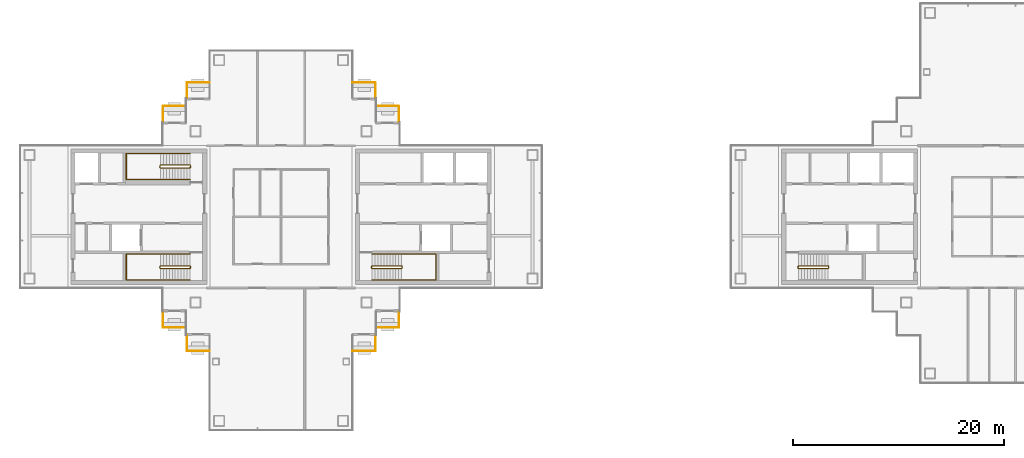
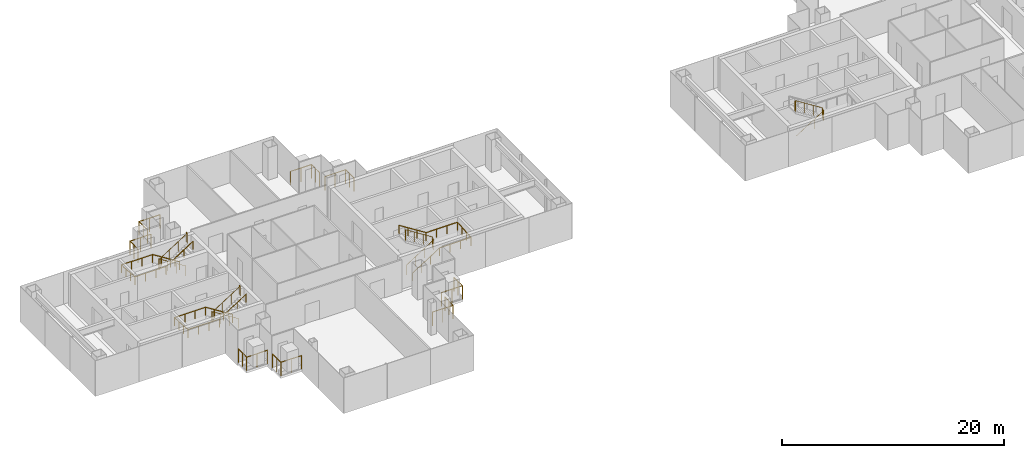
# One storey, part 13 of 15: 15 railings.
"""IFC4 building model written with IfcOpenShell, lengths in metres."""

from ifc_helpers import new_model, si_unit, direction, frame, origin, origin_2d, place, context, subcontext, project, spatial, circle, extrude, material, type_object, element, save


model = new_model("IFC4")

# Units and contexts
model_context = context("Model", 3, precision=1e-05, world=origin(), true_north=direction((0.0, 1.0)))
body_context = subcontext(model_context, "Body", "Model", "MODEL_VIEW")
ifc_project = project(units=[si_unit("LENGTHUNIT", "METRE"), si_unit("AREAUNIT", "SQUARE_METRE"), si_unit("VOLUMEUNIT", "CUBIC_METRE"), si_unit("PLANEANGLEUNIT", "RADIAN"), si_unit("MASSUNIT", "GRAM", prefix="KILO")], contexts=[model_context])

# Site, building, storey
site_placement = place(None, origin())
site = spatial("IfcSite", under=ifc_project, at=site_placement, CompositionType="ELEMENT")
building_placement = place(site_placement, origin())
building = spatial("IfcBuilding", under=site, at=building_placement, Name="Shamsa Quay Exchange Towers", CompositionType="ELEMENT")
storey_placement = place(building_placement, frame((0.0, 0.0, 206.10009765625)))
storey = spatial("IfcBuildingStorey", under=building, at=storey_placement, Name="L49", CompositionType="ELEMENT", Elevation=206.10009765625)

# Railings
ifc_material_1 = material(Name="Steel S355, black powder-coated", Category="steel")
railing_type_1 = type_object("IfcRailingType", Name="BALCONY GUARD 1500", PredefinedType="GUARDRAIL", material=ifc_material_1)
for number, where, name in (
    (1, (-22.550048828125, 9.02099609375, 0.0), "Balcony guard T1-PKEN L49"),
    (2, (-24.800048828125, 11.27099609375, 0.0), "Balcony guard T1-PKEN L49"),
):
    element("IfcRailing", number, at=place(storey_placement, frame(where)), inside=storey, type_object=railing_type_1, Name=name, PredefinedType="GUARDRAIL", context=body_context, shape_type="SweptSolid", body=[
        extrude(circle(Radius=0.02392578125, at=origin_2d()), frame((0.0, 0.0, 1.47607421875), z_axis=(0.0, 1.0, 0.0), x_axis=(-1.0, 0.0, 0.0)), (0.0, 0.0, 1.0), 1.47900390625),
        extrude(circle(Radius=0.02392578125, at=origin_2d()), frame((0.0, 1.47900390625, 1.47607421875), z_axis=(-1.0, 0.0, 0.0), x_axis=(0.0, -1.0, 0.0)), (0.0, 0.0, 1.0), 2.161865234375),
        extrude(circle(Radius=0.02099609375, at=origin_2d()), origin(), (0.0, 0.0, 1.0), 1.451904296875),
        extrude(circle(Radius=0.02099609375, at=origin_2d()), frame((0.0, 0.739501953125, 0.0)), (0.0, 0.0, 1.0), 1.451904296875),
        extrude(circle(Radius=0.02099609375, at=origin_2d()), frame((0.0, 1.47900390625, 0.0)), (0.0, 0.0, 1.0), 1.451904296875),
        extrude(circle(Radius=0.02099609375, at=origin_2d()), frame((-1.0810546875, 1.47900390625, 0.0)), (0.0, 0.0, 1.0), 1.451904296875),
        extrude(circle(Radius=0.02099609375, at=origin_2d()), frame((-2.161865234375, 1.47900390625, 0.0)), (0.0, 0.0, 1.0), 1.451904296875),
    ])
for number, where, name in (
    (3, (-24.7119140625, -10.5, 0.0), "Balcony guard T1-PKES L49"),
    (4, (-26.9619140625, -12.75, 0.0), "Balcony guard T1-PKES L49"),
):
    element("IfcRailing", number, at=place(storey_placement, frame(where)), inside=storey, type_object=railing_type_1, Name=name, PredefinedType="GUARDRAIL", context=body_context, shape_type="SweptSolid", body=[
        extrude(circle(Radius=0.02392578125, at=origin_2d()), frame((0.0, 0.0, 1.47607421875), z_axis=(1.0, 0.0, 0.0), x_axis=(0.0, 1.0, 0.0)), (0.0, 0.0, 1.0), 2.161865234375),
        extrude(circle(Radius=0.02392578125, at=origin_2d()), frame((2.161865234375, 0.0, 1.47607421875), z_axis=(0.0, 1.0, 0.0), x_axis=(-1.0, 0.0, 0.0)), (0.0, 0.0, 1.0), 1.47900390625),
        extrude(circle(Radius=0.02099609375, at=origin_2d()), origin(), (0.0, 0.0, 1.0), 1.451904296875),
        extrude(circle(Radius=0.02099609375, at=origin_2d()), frame((1.0810546875, 0.0, 0.0)), (0.0, 0.0, 1.0), 1.451904296875),
        extrude(circle(Radius=0.02099609375, at=origin_2d()), frame((2.161865234375, 0.0, 0.0)), (0.0, 0.0, 1.0), 1.451904296875),
        extrude(circle(Radius=0.02099609375, at=origin_2d()), frame((2.161865234375, 0.739501953125, 0.0)), (0.0, 0.0, 1.0), 1.451904296875),
        extrude(circle(Radius=0.02099609375, at=origin_2d()), frame((2.161865234375, 1.47900390625, 0.0)), (0.0, 0.0, 1.0), 1.451904296875),
    ])
for number, where, name in (
    (5, (-40.5380859375, 12.75, 0.0), "Balcony guard T1-PKWN L49"),
    (6, (-42.7880859375, 10.5, 0.0), "Balcony guard T1-PKWN L49"),
):
    element("IfcRailing", number, at=place(storey_placement, frame(where)), inside=storey, type_object=railing_type_1, Name=name, PredefinedType="GUARDRAIL", context=body_context, shape_type="SweptSolid", body=[
        extrude(circle(Radius=0.02392578125, at=origin_2d()), frame((0.0, 0.0, 1.47607421875), z_axis=(-1.0, 0.0, 0.0), x_axis=(0.0, -1.0, 0.0)), (0.0, 0.0, 1.0), 2.161865234375),
        extrude(circle(Radius=0.02392578125, at=origin_2d()), frame((-2.161865234375, 0.0, 1.47607421875), z_axis=(0.0, -1.0, 0.0), x_axis=(1.0, 0.0, 0.0)), (0.0, 0.0, 1.0), 1.47900390625),
        extrude(circle(Radius=0.02099609375, at=origin_2d()), origin(), (0.0, 0.0, 1.0), 1.451904296875),
        extrude(circle(Radius=0.02099609375, at=origin_2d()), frame((-1.0810546875, 0.0, 0.0)), (0.0, 0.0, 1.0), 1.451904296875),
        extrude(circle(Radius=0.02099609375, at=origin_2d()), frame((-2.161865234375, 0.0, 0.0)), (0.0, 0.0, 1.0), 1.451904296875),
        extrude(circle(Radius=0.02099609375, at=origin_2d()), frame((-2.161865234375, -0.739501953125, 0.0)), (0.0, 0.0, 1.0), 1.451904296875),
        extrude(circle(Radius=0.02099609375, at=origin_2d()), frame((-2.161865234375, -1.47900390625, 0.0)), (0.0, 0.0, 1.0), 1.451904296875),
    ])
for number, where, name in (
    (7, (-44.949951171875, -9.02099609375, 0.0), "Balcony guard T1-PKWS L49"),
    (8, (-42.699951171875, -11.27099609375, 0.0), "Balcony guard T1-PKWS L49"),
):
    element("IfcRailing", number, at=place(storey_placement, frame(where)), inside=storey, type_object=railing_type_1, Name=name, PredefinedType="GUARDRAIL", context=body_context, shape_type="SweptSolid", body=[
        extrude(circle(Radius=0.02392578125, at=origin_2d()), frame((0.0, 0.0, 1.47607421875), z_axis=(0.0, -1.0, 0.0), x_axis=(1.0, 0.0, 0.0)), (0.0, 0.0, 1.0), 1.47900390625),
        extrude(circle(Radius=0.02392578125, at=origin_2d()), frame((0.0, -1.47900390625, 1.47607421875), z_axis=(1.0, 0.0, 0.0), x_axis=(0.0, 1.0, 0.0)), (0.0, 0.0, 1.0), 2.161865234375),
        extrude(circle(Radius=0.02099609375, at=origin_2d()), origin(), (0.0, 0.0, 1.0), 1.451904296875),
        extrude(circle(Radius=0.02099609375, at=origin_2d()), frame((0.0, -0.739501953125, 0.0)), (0.0, 0.0, 1.0), 1.451904296875),
        extrude(circle(Radius=0.02099609375, at=origin_2d()), frame((0.0, -1.47900390625, 0.0)), (0.0, 0.0, 1.0), 1.451904296875),
        extrude(circle(Radius=0.02099609375, at=origin_2d()), frame((1.0810546875, -1.47900390625, 0.0)), (0.0, 0.0, 1.0), 1.451904296875),
        extrude(circle(Radius=0.02099609375, at=origin_2d()), frame((2.161865234375, -1.47900390625, 0.0)), (0.0, 0.0, 1.0), 1.451904296875),
    ])
ifc_material_2 = material(Name="Stainless steel", Category="steel")
railing_type_2 = type_object("IfcRailingType", Name="STAIR GUARD 1100", PredefinedType="GUARDRAIL", material=ifc_material_2)
railing_1_placement = place(storey_placement, frame((-25.10009765625, -4.89990234375, 0.17724609375)))
element("IfcRailing", 9, at=railing_1_placement, inside=storey, type_object=railing_type_2, Name="L49 ST1 stair guard 1", PredefinedType="GUARDRAIL", context=body_context, shape_type="SweptSolid", body=[
    extrude(circle(Radius=0.02392578125, at=origin_2d()), frame((0.0, 0.0, 1.076171875), z_axis=(0.844908973607, 0.0, 0.534910110503), x_axis=(0.0, 1.0, 0.0)), (0.0, 0.0, 1.0), 3.31396484375),
    extrude(circle(Radius=0.02392578125, at=origin_2d()), frame((2.800048828125, 0.0, 2.8486328125), z_axis=(0.708833529934, 0.705375805398, 0.0), x_axis=(-0.705375805398, 0.708833529934, 0.0)), (0.0, 0.0, 1.0), 0.070556640625),
    extrude(circle(Radius=0.02392578125, at=origin_2d()), frame((2.85009765625, 0.0498046875, 2.8486328125), z_axis=(0.0, 1.0, 0.0), x_axis=(-1.0, 0.0, 0.0)), (0.0, 0.0, 1.0), 0.150146484375),
    extrude(circle(Radius=0.02392578125, at=origin_2d()), frame((2.85009765625, 0.199951171875, 2.8486328125), z_axis=(-0.262233686654, 0.262233686654, 0.928691007369), x_axis=(-0.707106781187, -0.707106781187, 0.0)), (0.0, 0.0, 1.0), 0.19091796875),
    extrude(circle(Radius=0.02392578125, at=origin_2d()), frame((2.800048828125, 0.25, 3.02587890625), z_axis=(-0.844908973607, 0.0, 0.534910110503), x_axis=(0.0, -1.0, 0.0)), (0.0, 0.0, 1.0), 3.31396484375),
    extrude(circle(Radius=0.02392578125, at=origin_2d()), frame((0.0, 0.25, 4.798828125), z_axis=(-0.24142163986, -0.970420317083, 0.0), x_axis=(0.970420317083, -0.24142163986, 0.0)), (0.0, 0.0, 1.0), 0.206298828125),
    extrude(circle(Radius=0.02392578125, at=origin_2d()), frame((-0.0498046875, 0.0498046875, 4.798828125), z_axis=(0.0, 1.0, 0.0), x_axis=(-1.0, 0.0, 0.0)), (0.0, 0.0, 1.0), 0.150146484375),
    extrude(circle(Radius=0.02099609375, at=origin_2d()), origin(), (0.0, 0.0, 1.0), 1.052001953125),
    extrude(circle(Radius=0.02099609375, at=origin_2d()), frame((0.933349609375, 0.0, 0.5908203125)), (0.0, 0.0, 1.0), 1.052001953125),
    extrude(circle(Radius=0.02099609375, at=origin_2d()), frame((1.86669921875, 0.0, 1.181884765625)), (0.0, 0.0, 1.0), 1.052001953125),
    extrude(circle(Radius=0.02099609375, at=origin_2d()), frame((2.800048828125, 0.0, 1.772705078125)), (0.0, 0.0, 1.0), 1.052001953125),
    extrude(circle(Radius=0.02099609375, at=origin_2d()), frame((2.85009765625, 0.0498046875, 1.772705078125)), (0.0, 0.0, 1.0), 1.052001953125),
    extrude(circle(Radius=0.02099609375, at=origin_2d()), frame((2.85009765625, 0.199951171875, 1.772705078125)), (0.0, 0.0, 1.0), 1.052001953125),
    extrude(circle(Radius=0.02099609375, at=origin_2d()), frame((2.800048828125, 0.25, 1.949951171875)), (0.0, 0.0, 1.0), 1.052001953125),
    extrude(circle(Radius=0.02099609375, at=origin_2d()), frame((1.86669921875, 0.25, 2.540771484375)), (0.0, 0.0, 1.0), 1.052001953125),
    extrude(circle(Radius=0.02099609375, at=origin_2d()), frame((0.933349609375, 0.25, 3.1318359375)), (0.0, 0.0, 1.0), 1.052001953125),
    extrude(circle(Radius=0.02099609375, at=origin_2d()), frame((0.0, 0.25, 3.72265625)), (0.0, 0.0, 1.0), 1.052001953125),
    extrude(circle(Radius=0.02099609375, at=origin_2d()), frame((-0.0498046875, 0.0498046875, 3.72265625)), (0.0, 0.0, 1.0), 1.052001953125),
    extrude(circle(Radius=0.02099609375, at=origin_2d()), frame((-0.0498046875, 0.199951171875, 3.72265625)), (0.0, 0.0, 1.0), 1.052001953125),
])
railing_2_placement = place(storey_placement, frame((-42.39990234375, -4.64990234375, 0.17724609375)))
element("IfcRailing", 10, at=railing_2_placement, inside=storey, type_object=railing_type_2, Name="L49 ST2 stair guard 1", PredefinedType="GUARDRAIL", context=body_context, shape_type="SweptSolid", body=[
    extrude(circle(Radius=0.02392578125, at=origin_2d()), frame((0.0, 0.0, 1.076171875), z_axis=(-0.844908973607, 0.0, 0.534910110503), x_axis=(0.0, -1.0, 0.0)), (0.0, 0.0, 1.0), 3.31396484375),
    extrude(circle(Radius=0.02392578125, at=origin_2d()), frame((-2.800048828125, 0.0, 2.8486328125), z_axis=(-0.707106781187, -0.707106781187, 0.0), x_axis=(0.707106781187, -0.707106781187, 0.0)), (0.0, 0.0, 1.0), 0.07080078125),
    extrude(circle(Radius=0.02392578125, at=origin_2d()), frame((-2.85009765625, -0.050048828125, 2.8486328125), z_axis=(0.0, -1.0, 0.0), x_axis=(1.0, 0.0, 0.0)), (0.0, 0.0, 1.0), 0.150146484375),
    extrude(circle(Radius=0.02392578125, at=origin_2d()), frame((-2.85009765625, -0.2001953125, 2.8486328125), z_axis=(0.262321481514, -0.261041864531, 0.929001929653), x_axis=(0.705375805398, 0.708833529934, 0.0)), (0.0, 0.0, 1.0), 0.190673828125),
    extrude(circle(Radius=0.02392578125, at=origin_2d()), frame((-2.800048828125, -0.25, 3.02587890625), z_axis=(0.844908973607, 0.0, 0.534910110503), x_axis=(0.0, 1.0, 0.0)), (0.0, 0.0, 1.0), 3.31396484375),
    extrude(circle(Radius=0.02392578125, at=origin_2d()), frame((0.0, -0.25, 4.798828125), z_axis=(0.241699205484, 0.970351222016, 0.0), x_axis=(-0.970351222016, 0.241699205484, 0.0)), (0.0, 0.0, 1.0), 0.2060546875),
    extrude(circle(Radius=0.02392578125, at=origin_2d()), frame((0.0498046875, -0.050048828125, 4.798828125), z_axis=(0.0, -1.0, 0.0), x_axis=(1.0, 0.0, 0.0)), (0.0, 0.0, 1.0), 0.150146484375),
    extrude(circle(Radius=0.02099609375, at=origin_2d()), origin(), (0.0, 0.0, 1.0), 1.052001953125),
    extrude(circle(Radius=0.02099609375, at=origin_2d()), frame((-0.933349609375, 0.0, 0.5908203125)), (0.0, 0.0, 1.0), 1.052001953125),
    extrude(circle(Radius=0.02099609375, at=origin_2d()), frame((-1.86669921875, 0.0, 1.181884765625)), (0.0, 0.0, 1.0), 1.052001953125),
    extrude(circle(Radius=0.02099609375, at=origin_2d()), frame((-2.800048828125, 0.0, 1.772705078125)), (0.0, 0.0, 1.0), 1.052001953125),
    extrude(circle(Radius=0.02099609375, at=origin_2d()), frame((-2.85009765625, -0.050048828125, 1.772705078125)), (0.0, 0.0, 1.0), 1.052001953125),
    extrude(circle(Radius=0.02099609375, at=origin_2d()), frame((-2.85009765625, -0.2001953125, 1.772705078125)), (0.0, 0.0, 1.0), 1.052001953125),
    extrude(circle(Radius=0.02099609375, at=origin_2d()), frame((-2.800048828125, -0.25, 1.949951171875)), (0.0, 0.0, 1.0), 1.052001953125),
    extrude(circle(Radius=0.02099609375, at=origin_2d()), frame((-1.86669921875, -0.25, 2.540771484375)), (0.0, 0.0, 1.0), 1.052001953125),
    extrude(circle(Radius=0.02099609375, at=origin_2d()), frame((-0.933349609375, -0.25, 3.1318359375)), (0.0, 0.0, 1.0), 1.052001953125),
    extrude(circle(Radius=0.02099609375, at=origin_2d()), frame((0.0, -0.25, 3.72265625)), (0.0, 0.0, 1.0), 1.052001953125),
    extrude(circle(Radius=0.02099609375, at=origin_2d()), frame((0.0498046875, -0.050048828125, 3.72265625)), (0.0, 0.0, 1.0), 1.052001953125),
    extrude(circle(Radius=0.02099609375, at=origin_2d()), frame((0.0498046875, -0.2001953125, 3.72265625)), (0.0, 0.0, 1.0), 1.052001953125),
])
railing_3_placement = place(storey_placement, frame((-42.39990234375, 4.89990234375, 0.17724609375)))
element("IfcRailing", 11, at=railing_3_placement, inside=storey, type_object=railing_type_2, Name="L49 ST3 stair guard 1", PredefinedType="GUARDRAIL", context=body_context, shape_type="SweptSolid", body=[
    extrude(circle(Radius=0.02392578125, at=origin_2d()), frame((0.0, 0.0, 1.076171875), z_axis=(-0.844908973607, 0.0, 0.534910110503), x_axis=(0.0, -1.0, 0.0)), (0.0, 0.0, 1.0), 3.31396484375),
    extrude(circle(Radius=0.02392578125, at=origin_2d()), frame((-2.800048828125, 0.0, 2.8486328125), z_axis=(-0.708833529934, -0.705375805398, 0.0), x_axis=(0.705375805398, -0.708833529934, 0.0)), (0.0, 0.0, 1.0), 0.070556640625),
    extrude(circle(Radius=0.02392578125, at=origin_2d()), frame((-2.85009765625, -0.0498046875, 2.8486328125), z_axis=(0.0, -1.0, 0.0), x_axis=(1.0, 0.0, 0.0)), (0.0, 0.0, 1.0), 0.150146484375),
    extrude(circle(Radius=0.02392578125, at=origin_2d()), frame((-2.85009765625, -0.199951171875, 2.8486328125), z_axis=(0.262233686654, -0.262233686654, 0.928691007369), x_axis=(0.707106781187, 0.707106781187, 0.0)), (0.0, 0.0, 1.0), 0.19091796875),
    extrude(circle(Radius=0.02392578125, at=origin_2d()), frame((-2.800048828125, -0.25, 3.02587890625), z_axis=(0.844908973607, 0.0, 0.534910110503), x_axis=(0.0, 1.0, 0.0)), (0.0, 0.0, 1.0), 3.31396484375),
    extrude(circle(Radius=0.02392578125, at=origin_2d()), frame((0.0, -0.25, 4.798828125), z_axis=(0.24142163986, 0.970420317083, 0.0), x_axis=(-0.970420317083, 0.24142163986, 0.0)), (0.0, 0.0, 1.0), 0.206298828125),
    extrude(circle(Radius=0.02392578125, at=origin_2d()), frame((0.0498046875, -0.0498046875, 4.798828125), z_axis=(0.0, -1.0, 0.0), x_axis=(1.0, 0.0, 0.0)), (0.0, 0.0, 1.0), 0.150146484375),
    extrude(circle(Radius=0.02099609375, at=origin_2d()), origin(), (0.0, 0.0, 1.0), 1.052001953125),
    extrude(circle(Radius=0.02099609375, at=origin_2d()), frame((-0.933349609375, 0.0, 0.5908203125)), (0.0, 0.0, 1.0), 1.052001953125),
    extrude(circle(Radius=0.02099609375, at=origin_2d()), frame((-1.86669921875, 0.0, 1.181884765625)), (0.0, 0.0, 1.0), 1.052001953125),
    extrude(circle(Radius=0.02099609375, at=origin_2d()), frame((-2.800048828125, 0.0, 1.772705078125)), (0.0, 0.0, 1.0), 1.052001953125),
    extrude(circle(Radius=0.02099609375, at=origin_2d()), frame((-2.85009765625, -0.0498046875, 1.772705078125)), (0.0, 0.0, 1.0), 1.052001953125),
    extrude(circle(Radius=0.02099609375, at=origin_2d()), frame((-2.85009765625, -0.199951171875, 1.772705078125)), (0.0, 0.0, 1.0), 1.052001953125),
    extrude(circle(Radius=0.02099609375, at=origin_2d()), frame((-2.800048828125, -0.25, 1.949951171875)), (0.0, 0.0, 1.0), 1.052001953125),
    extrude(circle(Radius=0.02099609375, at=origin_2d()), frame((-1.86669921875, -0.25, 2.540771484375)), (0.0, 0.0, 1.0), 1.052001953125),
    extrude(circle(Radius=0.02099609375, at=origin_2d()), frame((-0.933349609375, -0.25, 3.1318359375)), (0.0, 0.0, 1.0), 1.052001953125),
    extrude(circle(Radius=0.02099609375, at=origin_2d()), frame((0.0, -0.25, 3.72265625)), (0.0, 0.0, 1.0), 1.052001953125),
    extrude(circle(Radius=0.02099609375, at=origin_2d()), frame((0.0498046875, -0.0498046875, 3.72265625)), (0.0, 0.0, 1.0), 1.052001953125),
    extrude(circle(Radius=0.02099609375, at=origin_2d()), frame((0.0498046875, -0.199951171875, 3.72265625)), (0.0, 0.0, 1.0), 1.052001953125),
])
railing_4_placement = place(storey_placement, frame((15.39990234375, -4.89990234375, 0.17724609375)))
element("IfcRailing", 12, at=railing_4_placement, inside=storey, type_object=railing_type_2, Name="L49 ST4 stair guard 1", PredefinedType="GUARDRAIL", context=body_context, shape_type="SweptSolid", body=[
    extrude(circle(Radius=0.02392578125, at=origin_2d()), frame((0.0, 0.0, 1.076171875), z_axis=(0.844908973607, 0.0, 0.534910110503), x_axis=(0.0, 1.0, 0.0)), (0.0, 0.0, 1.0), 3.31396484375),
    extrude(circle(Radius=0.02392578125, at=origin_2d()), frame((2.800048828125, 0.0, 2.8486328125), z_axis=(0.708833529934, 0.705375805398, 0.0), x_axis=(-0.705375805398, 0.708833529934, 0.0)), (0.0, 0.0, 1.0), 0.070556640625),
    extrude(circle(Radius=0.02392578125, at=origin_2d()), frame((2.85009765625, 0.0498046875, 2.8486328125), z_axis=(0.0, 1.0, 0.0), x_axis=(-1.0, 0.0, 0.0)), (0.0, 0.0, 1.0), 0.150146484375),
    extrude(circle(Radius=0.02392578125, at=origin_2d()), frame((2.85009765625, 0.199951171875, 2.8486328125), z_axis=(-0.262233686654, 0.262233686654, 0.928691007369), x_axis=(-0.707106781187, -0.707106781187, 0.0)), (0.0, 0.0, 1.0), 0.19091796875),
    extrude(circle(Radius=0.02392578125, at=origin_2d()), frame((2.800048828125, 0.25, 3.02587890625), z_axis=(-0.844908973607, 0.0, 0.534910110503), x_axis=(0.0, -1.0, 0.0)), (0.0, 0.0, 1.0), 3.31396484375),
    extrude(circle(Radius=0.02392578125, at=origin_2d()), frame((0.0, 0.25, 4.798828125), z_axis=(-0.24142163986, -0.970420317083, 0.0), x_axis=(0.970420317083, -0.24142163986, 0.0)), (0.0, 0.0, 1.0), 0.206298828125),
    extrude(circle(Radius=0.02392578125, at=origin_2d()), frame((-0.0498046875, 0.0498046875, 4.798828125), z_axis=(0.0, 1.0, 0.0), x_axis=(-1.0, 0.0, 0.0)), (0.0, 0.0, 1.0), 0.150146484375),
    extrude(circle(Radius=0.02099609375, at=origin_2d()), origin(), (0.0, 0.0, 1.0), 1.052001953125),
    extrude(circle(Radius=0.02099609375, at=origin_2d()), frame((0.933349609375, 0.0, 0.5908203125)), (0.0, 0.0, 1.0), 1.052001953125),
    extrude(circle(Radius=0.02099609375, at=origin_2d()), frame((1.86669921875, 0.0, 1.181884765625)), (0.0, 0.0, 1.0), 1.052001953125),
    extrude(circle(Radius=0.02099609375, at=origin_2d()), frame((2.800048828125, 0.0, 1.772705078125)), (0.0, 0.0, 1.0), 1.052001953125),
    extrude(circle(Radius=0.02099609375, at=origin_2d()), frame((2.85009765625, 0.0498046875, 1.772705078125)), (0.0, 0.0, 1.0), 1.052001953125),
    extrude(circle(Radius=0.02099609375, at=origin_2d()), frame((2.85009765625, 0.199951171875, 1.772705078125)), (0.0, 0.0, 1.0), 1.052001953125),
    extrude(circle(Radius=0.02099609375, at=origin_2d()), frame((2.800048828125, 0.25, 1.949951171875)), (0.0, 0.0, 1.0), 1.052001953125),
    extrude(circle(Radius=0.02099609375, at=origin_2d()), frame((1.86669921875, 0.25, 2.540771484375)), (0.0, 0.0, 1.0), 1.052001953125),
    extrude(circle(Radius=0.02099609375, at=origin_2d()), frame((0.933349609375, 0.25, 3.1318359375)), (0.0, 0.0, 1.0), 1.052001953125),
    extrude(circle(Radius=0.02099609375, at=origin_2d()), frame((0.0, 0.25, 3.72265625)), (0.0, 0.0, 1.0), 1.052001953125),
    extrude(circle(Radius=0.02099609375, at=origin_2d()), frame((-0.0498046875, 0.0498046875, 3.72265625)), (0.0, 0.0, 1.0), 1.052001953125),
    extrude(circle(Radius=0.02099609375, at=origin_2d()), frame((-0.0498046875, 0.199951171875, 3.72265625)), (0.0, 0.0, 1.0), 1.052001953125),
])
railing_type_3 = type_object("IfcRailingType", Name="STAIR HANDRAIL 900", PredefinedType="HANDRAIL", material=ifc_material_2)
railing_5_placement = place(storey_placement, frame((-25.10009765625, -6.0, 0.17724609375)))
element("IfcRailing", 13, at=railing_5_placement, inside=storey, type_object=railing_type_3, Name="L49 ST1 stair handrail 1", PredefinedType="HANDRAIL", context=body_context, shape_type="SweptSolid", body=[
    extrude(circle(Radius=0.02392578125, at=origin_2d()), frame((0.0, 0.0, 0.8759765625), z_axis=(0.844908973607, 0.0, 0.534910110503), x_axis=(0.0, 1.0, 0.0)), (0.0, 0.0, 1.0), 3.31396484375),
    extrude(circle(Radius=0.02392578125, at=origin_2d()), frame((2.800048828125, 0.0, 2.6484375), z_axis=(1.0, 0.0, 0.0), x_axis=(0.0, 1.0, 0.0)), (0.0, 0.0, 1.0), 3.25),
    extrude(circle(Radius=0.02392578125, at=origin_2d()), frame((6.050048828125, 0.0, 2.6484375), z_axis=(0.0, 0.997393199914, 0.07215819264), x_axis=(-1.0, 0.0, 0.0)), (0.0, 0.0, 1.0), 2.456298828125),
    extrude(circle(Radius=0.02392578125, at=origin_2d()), frame((6.050048828125, 2.449951171875, 2.82568359375), z_axis=(-1.0, 0.0, 0.0), x_axis=(0.0, -1.0, 0.0)), (0.0, 0.0, 1.0), 3.25),
    extrude(circle(Radius=0.02392578125, at=origin_2d()), frame((2.800048828125, 2.449951171875, 2.82568359375), z_axis=(-0.844908973607, 0.0, 0.534910110503), x_axis=(0.0, -1.0, 0.0)), (0.0, 0.0, 1.0), 3.31396484375),
    extrude(circle(Radius=0.02099609375, at=origin_2d()), origin(), (0.0, 0.0, 1.0), 0.851806640625),
    extrude(circle(Radius=0.02099609375, at=origin_2d()), frame((0.933349609375, 0.0, 0.5908203125)), (0.0, 0.0, 1.0), 0.851806640625),
    extrude(circle(Radius=0.02099609375, at=origin_2d()), frame((1.86669921875, 0.0, 1.181884765625)), (0.0, 0.0, 1.0), 0.851806640625),
    extrude(circle(Radius=0.02099609375, at=origin_2d()), frame((2.800048828125, 0.0, 1.772705078125)), (0.0, 0.0, 1.0), 0.851806640625),
    extrude(circle(Radius=0.02099609375, at=origin_2d()), frame((3.88330078125, 0.0, 1.772705078125)), (0.0, 0.0, 1.0), 0.851806640625),
    extrude(circle(Radius=0.02099609375, at=origin_2d()), frame((4.966796875, 0.0, 1.772705078125)), (0.0, 0.0, 1.0), 0.851806640625),
    extrude(circle(Radius=0.02099609375, at=origin_2d()), frame((6.050048828125, 0.0, 1.772705078125)), (0.0, 0.0, 1.0), 0.851806640625),
    extrude(circle(Radius=0.02099609375, at=origin_2d()), frame((6.050048828125, 0.816650390625, 1.831787109375)), (0.0, 0.0, 1.0), 0.851806640625),
    extrude(circle(Radius=0.02099609375, at=origin_2d()), frame((6.050048828125, 1.63330078125, 1.890869140625)), (0.0, 0.0, 1.0), 0.851806640625),
    extrude(circle(Radius=0.02099609375, at=origin_2d()), frame((6.050048828125, 2.449951171875, 1.949951171875)), (0.0, 0.0, 1.0), 0.851806640625),
    extrude(circle(Radius=0.02099609375, at=origin_2d()), frame((4.966796875, 2.449951171875, 1.949951171875)), (0.0, 0.0, 1.0), 0.851806640625),
    extrude(circle(Radius=0.02099609375, at=origin_2d()), frame((3.88330078125, 2.449951171875, 1.949951171875)), (0.0, 0.0, 1.0), 0.851806640625),
    extrude(circle(Radius=0.02099609375, at=origin_2d()), frame((2.800048828125, 2.449951171875, 1.949951171875)), (0.0, 0.0, 1.0), 0.851806640625),
    extrude(circle(Radius=0.02099609375, at=origin_2d()), frame((1.86669921875, 2.449951171875, 2.540771484375)), (0.0, 0.0, 1.0), 0.851806640625),
    extrude(circle(Radius=0.02099609375, at=origin_2d()), frame((0.933349609375, 2.449951171875, 3.1318359375)), (0.0, 0.0, 1.0), 0.851806640625),
    extrude(circle(Radius=0.02099609375, at=origin_2d()), frame((0.0, 2.449951171875, 3.72265625)), (0.0, 0.0, 1.0), 0.851806640625),
])
railing_6_placement = place(storey_placement, frame((-42.39990234375, -3.550048828125, 0.17724609375)))
element("IfcRailing", 14, at=railing_6_placement, inside=storey, type_object=railing_type_3, Name="L49 ST2 stair handrail 1", PredefinedType="HANDRAIL", context=body_context, shape_type="SweptSolid", body=[
    extrude(circle(Radius=0.02392578125, at=origin_2d()), frame((0.0, 0.0, 0.8759765625), z_axis=(-0.844908973607, 0.0, 0.534910110503), x_axis=(0.0, -1.0, 0.0)), (0.0, 0.0, 1.0), 3.31396484375),
    extrude(circle(Radius=0.02392578125, at=origin_2d()), frame((-2.800048828125, 0.0, 2.6484375), z_axis=(-1.0, 0.0, 0.0), x_axis=(0.0, -1.0, 0.0)), (0.0, 0.0, 1.0), 3.25),
    extrude(circle(Radius=0.02392578125, at=origin_2d()), frame((-6.050048828125, 0.0, 2.6484375), z_axis=(0.0, -0.997393199914, 0.07215819264), x_axis=(1.0, 0.0, 0.0)), (0.0, 0.0, 1.0), 2.456298828125),
    extrude(circle(Radius=0.02392578125, at=origin_2d()), frame((-6.050048828125, -2.449951171875, 2.82568359375), z_axis=(1.0, 0.0, 0.0), x_axis=(0.0, 1.0, 0.0)), (0.0, 0.0, 1.0), 3.25),
    extrude(circle(Radius=0.02392578125, at=origin_2d()), frame((-2.800048828125, -2.449951171875, 2.82568359375), z_axis=(0.844908973607, 0.0, 0.534910110503), x_axis=(0.0, 1.0, 0.0)), (0.0, 0.0, 1.0), 3.31396484375),
    extrude(circle(Radius=0.02099609375, at=origin_2d()), origin(), (0.0, 0.0, 1.0), 0.851806640625),
    extrude(circle(Radius=0.02099609375, at=origin_2d()), frame((-0.933349609375, 0.0, 0.5908203125)), (0.0, 0.0, 1.0), 0.851806640625),
    extrude(circle(Radius=0.02099609375, at=origin_2d()), frame((-1.86669921875, 0.0, 1.181884765625)), (0.0, 0.0, 1.0), 0.851806640625),
    extrude(circle(Radius=0.02099609375, at=origin_2d()), frame((-2.800048828125, 0.0, 1.772705078125)), (0.0, 0.0, 1.0), 0.851806640625),
    extrude(circle(Radius=0.02099609375, at=origin_2d()), frame((-3.88330078125, 0.0, 1.772705078125)), (0.0, 0.0, 1.0), 0.851806640625),
    extrude(circle(Radius=0.02099609375, at=origin_2d()), frame((-4.966796875, 0.0, 1.772705078125)), (0.0, 0.0, 1.0), 0.851806640625),
    extrude(circle(Radius=0.02099609375, at=origin_2d()), frame((-6.050048828125, 0.0, 1.772705078125)), (0.0, 0.0, 1.0), 0.851806640625),
    extrude(circle(Radius=0.02099609375, at=origin_2d()), frame((-6.050048828125, -0.816650390625, 1.831787109375)), (0.0, 0.0, 1.0), 0.851806640625),
    extrude(circle(Radius=0.02099609375, at=origin_2d()), frame((-6.050048828125, -1.63330078125, 1.890869140625)), (0.0, 0.0, 1.0), 0.851806640625),
    extrude(circle(Radius=0.02099609375, at=origin_2d()), frame((-6.050048828125, -2.449951171875, 1.949951171875)), (0.0, 0.0, 1.0), 0.851806640625),
    extrude(circle(Radius=0.02099609375, at=origin_2d()), frame((-4.966796875, -2.449951171875, 1.949951171875)), (0.0, 0.0, 1.0), 0.851806640625),
    extrude(circle(Radius=0.02099609375, at=origin_2d()), frame((-3.88330078125, -2.449951171875, 1.949951171875)), (0.0, 0.0, 1.0), 0.851806640625),
    extrude(circle(Radius=0.02099609375, at=origin_2d()), frame((-2.800048828125, -2.449951171875, 1.949951171875)), (0.0, 0.0, 1.0), 0.851806640625),
    extrude(circle(Radius=0.02099609375, at=origin_2d()), frame((-1.86669921875, -2.449951171875, 2.540771484375)), (0.0, 0.0, 1.0), 0.851806640625),
    extrude(circle(Radius=0.02099609375, at=origin_2d()), frame((-0.933349609375, -2.449951171875, 3.1318359375)), (0.0, 0.0, 1.0), 0.851806640625),
    extrude(circle(Radius=0.02099609375, at=origin_2d()), frame((0.0, -2.449951171875, 3.72265625)), (0.0, 0.0, 1.0), 0.851806640625),
])
railing_7_placement = place(storey_placement, frame((-42.39990234375, 6.0, 0.17724609375)))
element("IfcRailing", 15, at=railing_7_placement, inside=storey, type_object=railing_type_3, Name="L49 ST3 stair handrail 1", PredefinedType="HANDRAIL", context=body_context, shape_type="SweptSolid", body=[
    extrude(circle(Radius=0.02392578125, at=origin_2d()), frame((0.0, 0.0, 0.8759765625), z_axis=(-0.844908973607, 0.0, 0.534910110503), x_axis=(0.0, -1.0, 0.0)), (0.0, 0.0, 1.0), 3.31396484375),
    extrude(circle(Radius=0.02392578125, at=origin_2d()), frame((-2.800048828125, 0.0, 2.6484375), z_axis=(-1.0, 0.0, 0.0), x_axis=(0.0, -1.0, 0.0)), (0.0, 0.0, 1.0), 3.25),
    extrude(circle(Radius=0.02392578125, at=origin_2d()), frame((-6.050048828125, 0.0, 2.6484375), z_axis=(0.0, -0.997393199914, 0.07215819264), x_axis=(1.0, 0.0, 0.0)), (0.0, 0.0, 1.0), 2.456298828125),
    extrude(circle(Radius=0.02392578125, at=origin_2d()), frame((-6.050048828125, -2.449951171875, 2.82568359375), z_axis=(1.0, 0.0, 0.0), x_axis=(0.0, 1.0, 0.0)), (0.0, 0.0, 1.0), 3.25),
    extrude(circle(Radius=0.02392578125, at=origin_2d()), frame((-2.800048828125, -2.449951171875, 2.82568359375), z_axis=(0.844908973607, 0.0, 0.534910110503), x_axis=(0.0, 1.0, 0.0)), (0.0, 0.0, 1.0), 3.31396484375),
    extrude(circle(Radius=0.02099609375, at=origin_2d()), origin(), (0.0, 0.0, 1.0), 0.851806640625),
    extrude(circle(Radius=0.02099609375, at=origin_2d()), frame((-0.933349609375, 0.0, 0.5908203125)), (0.0, 0.0, 1.0), 0.851806640625),
    extrude(circle(Radius=0.02099609375, at=origin_2d()), frame((-1.86669921875, 0.0, 1.181884765625)), (0.0, 0.0, 1.0), 0.851806640625),
    extrude(circle(Radius=0.02099609375, at=origin_2d()), frame((-2.800048828125, 0.0, 1.772705078125)), (0.0, 0.0, 1.0), 0.851806640625),
    extrude(circle(Radius=0.02099609375, at=origin_2d()), frame((-3.88330078125, 0.0, 1.772705078125)), (0.0, 0.0, 1.0), 0.851806640625),
    extrude(circle(Radius=0.02099609375, at=origin_2d()), frame((-4.966796875, 0.0, 1.772705078125)), (0.0, 0.0, 1.0), 0.851806640625),
    extrude(circle(Radius=0.02099609375, at=origin_2d()), frame((-6.050048828125, 0.0, 1.772705078125)), (0.0, 0.0, 1.0), 0.851806640625),
    extrude(circle(Radius=0.02099609375, at=origin_2d()), frame((-6.050048828125, -0.816650390625, 1.831787109375)), (0.0, 0.0, 1.0), 0.851806640625),
    extrude(circle(Radius=0.02099609375, at=origin_2d()), frame((-6.050048828125, -1.63330078125, 1.890869140625)), (0.0, 0.0, 1.0), 0.851806640625),
    extrude(circle(Radius=0.02099609375, at=origin_2d()), frame((-6.050048828125, -2.449951171875, 1.949951171875)), (0.0, 0.0, 1.0), 0.851806640625),
    extrude(circle(Radius=0.02099609375, at=origin_2d()), frame((-4.966796875, -2.449951171875, 1.949951171875)), (0.0, 0.0, 1.0), 0.851806640625),
    extrude(circle(Radius=0.02099609375, at=origin_2d()), frame((-3.88330078125, -2.449951171875, 1.949951171875)), (0.0, 0.0, 1.0), 0.851806640625),
    extrude(circle(Radius=0.02099609375, at=origin_2d()), frame((-2.800048828125, -2.449951171875, 1.949951171875)), (0.0, 0.0, 1.0), 0.851806640625),
    extrude(circle(Radius=0.02099609375, at=origin_2d()), frame((-1.86669921875, -2.449951171875, 2.540771484375)), (0.0, 0.0, 1.0), 0.851806640625),
    extrude(circle(Radius=0.02099609375, at=origin_2d()), frame((-0.933349609375, -2.449951171875, 3.1318359375)), (0.0, 0.0, 1.0), 0.851806640625),
    extrude(circle(Radius=0.02099609375, at=origin_2d()), frame((0.0, -2.449951171875, 3.72265625)), (0.0, 0.0, 1.0), 0.851806640625),
])

save(model, "model.ifc")
